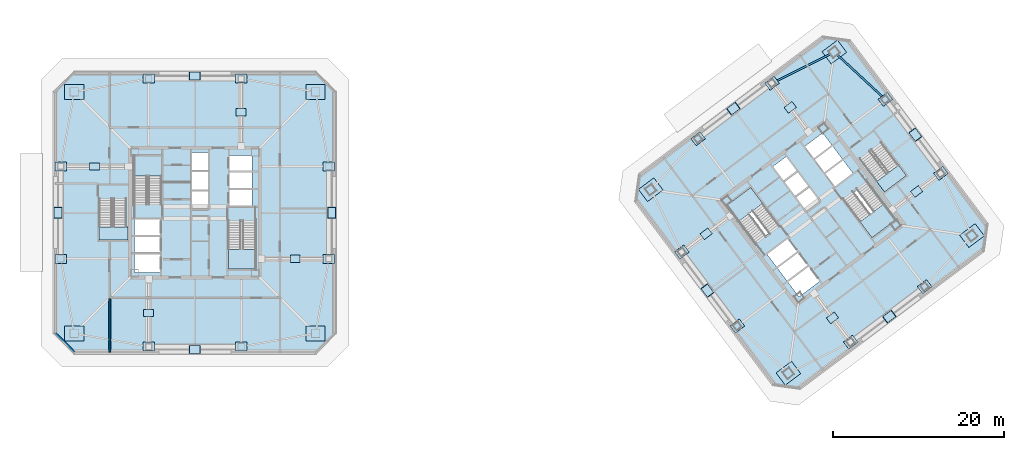
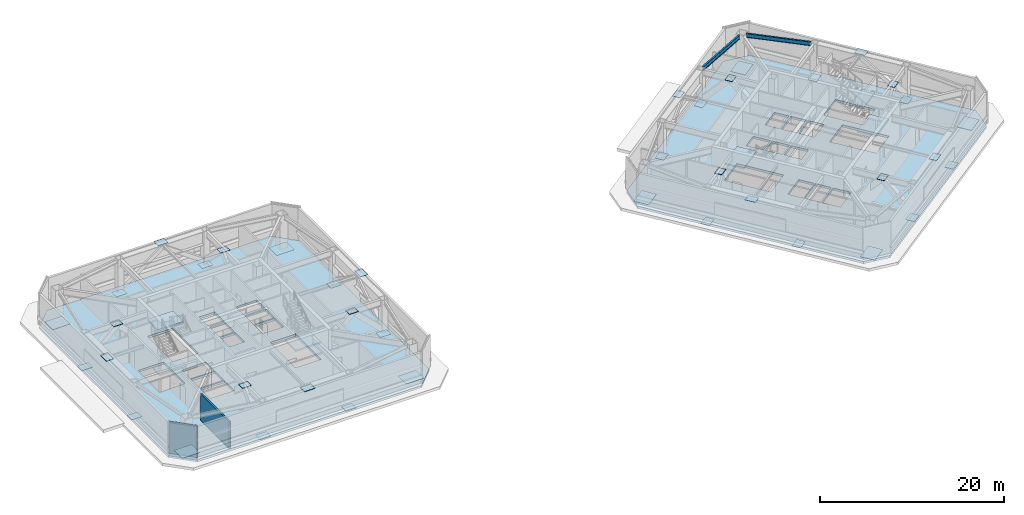
# One storey, part 4 of 15: 48 plates, 8 slabs, 2 beams, 2 walls, 6 elements without a shape of their own.
"""IFC4 building model written with IfcOpenShell, lengths in metres."""

from ifc_helpers import new_model, si_unit, direction, frame, frame_2d, origin, origin_2d, place, context, subcontext, project, spatial, polyline, rectangle, i_section, outline, extrude, material, layer, layer_set, material_profile, profile_set, type_object, element, aggregate, save


model = new_model("IFC4")

# Units and contexts
model_context = context("Model", 3, precision=1e-05, world=origin(), true_north=direction((0.0, 1.0)))
body_context = subcontext(model_context, "Body", "Model", "MODEL_VIEW")
ifc_project = project(units=[si_unit("LENGTHUNIT", "METRE"), si_unit("AREAUNIT", "SQUARE_METRE"), si_unit("VOLUMEUNIT", "CUBIC_METRE"), si_unit("PLANEANGLEUNIT", "RADIAN"), si_unit("MASSUNIT", "GRAM", prefix="KILO")], contexts=[model_context])

# Site, building, storey
site_placement = place(None, origin())
site = spatial("IfcSite", under=ifc_project, at=site_placement, CompositionType="ELEMENT")
building_placement = place(site_placement, origin())
building = spatial("IfcBuilding", under=site, at=building_placement, Name="Tashvorn Skyway Center", CompositionType="ELEMENT")
storey_placement = place(building_placement, frame((0.0, 0.0, 199.60009765625)))
storey = spatial("IfcBuildingStorey", under=building, at=storey_placement, Name="L54", CompositionType="ELEMENT", Elevation=199.60009765625)

# Beams
ifc_material_1 = material(Name="Steel ASTM A992 Grade 50", Category="steel")
ifc_material_profile = material_profile(ifc_material_1, i_section(OverallWidth=0.2109375, OverallDepth=0.5390625, WebThickness=0.01171875, FlangeThickness=0.018798828125, at=origin_2d()), Name="W21X73")
ifc_profile_set = profile_set([ifc_material_profile], Name="Steel ASTM A992 Grade 50")
beam_type = type_object("IfcBeamType", Name="BM-SPANDREL-W21X73", PredefinedType="SPANDREL", material=ifc_profile_set)
for number, where, z_axis, x_axis, name in (
    (1, (122.36865234375, 45.481689453125, 4.150390625), (-0.733042389989, 0.680182956622, 0.0), (-0.680182956622, -0.733042389989, 0.0), "Tower 2 L54 Spandrel Beam 06"),
    (2, (116.2373046875, 50.538330078125, 4.150390625), (-0.894178380472, -0.447710870872, 0.0), (0.447710870872, -0.894178380472, 0.0), "Tower 2 L54 Spandrel Beam 07"),
):
    element("IfcBeam", number, at=place(storey_placement, frame(where, z_axis=z_axis, x_axis=x_axis)), inside=storey, type_object=beam_type, Name=name, PredefinedType="SPANDREL", context=body_context, shape_type="SweptSolid", body=[
        extrude(i_section(OverallWidth=0.2109375, OverallDepth=0.5390625, WebThickness=0.01171875, FlangeThickness=0.018798828125, at=origin_2d()), origin(), (0.0, 0.0, 1.0), 7.26513671875),
    ])

# Plates
ifc_material_2 = material(Name="Steel ASTM A572 Grade 50", Category="steel")
ifc_layer_1 = layer(ifc_material_2, 0.034912109375)
ifc_layer_set_1 = layer_set([ifc_layer_1], Name="Steel ASTM A572 Grade 50")
plate_type_1 = type_object("IfcPlateType", Name="PLT-CAP-35", PredefinedType="USERDEFINED", material=ifc_layer_set_1)
for number, where, z_axis, x_axis, name in (
    (3, (42.0, 16.02001953125, 4.32763671875), (0.0, 0.0, 1.0), (1.0, 0.0, 0.0), "Tower 1 Zone 5 S Hollow-Section End Cap Plate"),
    (4, (57.97998046875, 32.0, 4.32763671875), (0.0, 0.0, 1.0), (0.0, 1.0, 0.0), "Tower 1 Zone 5 E Hollow-Section End Cap Plate"),
    (5, (42.0, 47.97998046875, 4.32763671875), (0.0, 0.0, 1.0), (-1.0, 0.0, 0.0), "Tower 1 Zone 5 N Hollow-Section End Cap Plate"),
    (6, (26.02001953125, 32.0, 4.32763671875), (0.0, 0.0, 1.0), (0.0, -1.0, 0.0), "Tower 1 Zone 5 W Hollow-Section End Cap Plate"),
    (7, (123.10791015625, 19.85595703125, 4.32763671875), (0.0, 0.0, 1.0), (0.799999996291, 0.600000004945, 0.0), "Tower 2 Zone 5 S Hollow-Section End Cap Plate"),
    (8, (126.14404296875, 41.10791015625, 4.32763671875), (0.0, 0.0, 1.0), (-0.600000004945, 0.799999996291, 0.0), "Tower 2 Zone 5 E Hollow-Section End Cap Plate"),
    (9, (104.89208984375, 44.14404296875, 4.32763671875), (0.0, 0.0, 1.0), (-0.799999996291, -0.600000004945, 0.0), "Tower 2 Zone 5 N Hollow-Section End Cap Plate"),
    (10, (101.85595703125, 22.89208984375, 4.32763671875), (0.0, 0.0, 1.0), (0.600000004945, -0.799999996291, 0.0), "Tower 2 Zone 5 W Hollow-Section End Cap Plate"),
):
    element("IfcPlate", number, at=place(storey_placement, frame(where, z_axis=z_axis, x_axis=x_axis)), inside=storey, type_object=plate_type_1, Name=name, ObjectType="END PLATE", PredefinedType="USERDEFINED", context=body_context, shape_type="SweptSolid", body=[
        extrude(rectangle(XDim=1.199951171875, YDim=0.919921875, at=origin_2d()), origin(), (0.0, 0.0, 1.0), 0.034912109375),
    ])
ifc_layer_2 = layer(ifc_material_2, 0.050048828125)
ifc_layer_set_2 = layer_set([ifc_layer_2], Name="Steel ASTM A572 Grade 50")
plate_type_2 = type_object("IfcPlateType", Name="PLT-ENDCAP-1650", PredefinedType="USERDEFINED", material=ifc_layer_set_2)
for number, where, z_axis, x_axis, name in (
    (11, (27.89990234375, 17.89990234375, -0.3349609375), (0.0, 0.0, 1.0), (1.0, 0.0, 0.0), "Tower 1 L54 MC-SW Setback Base End Plate"),
    (12, (56.10009765625, 17.89990234375, -0.3349609375), (0.0, 0.0, 1.0), (1.0, 0.0, 0.0), "Tower 1 L54 MC-SE Setback Base End Plate"),
    (13, (56.10009765625, 46.10009765625, -0.3349609375), (0.0, 0.0, 1.0), (1.0, 0.0, 0.0), "Tower 1 L54 MC-NE Setback Base End Plate"),
    (14, (27.89990234375, 46.10009765625, -0.3349609375), (0.0, 0.0, 1.0), (1.0, 0.0, 0.0), "Tower 1 L54 MC-NW Setback Base End Plate"),
    (15, (111.320068359375, 13.239990234375, -0.3349609375), (0.0, 0.0, 1.0), (0.799999996291, 0.600000004945, 0.0), "Tower 2 L54 MC-SW Setback Base End Plate"),
    (16, (132.760009765625, 29.320068359375, -0.3349609375), (0.0, 0.0, 1.0), (0.799999996291, 0.600000004945, 0.0), "Tower 2 L54 MC-SE Setback Base End Plate"),
    (17, (116.679931640625, 50.760009765625, -0.3349609375), (0.0, 0.0, 1.0), (0.799999996291, 0.600000004945, 0.0), "Tower 2 L54 MC-NE Setback Base End Plate"),
    (18, (95.239990234375, 34.679931640625, -0.3349609375), (0.0, 0.0, 1.0), (0.799999996291, 0.600000004945, 0.0), "Tower 2 L54 MC-NW Setback Base End Plate"),
):
    element("IfcPlate", number, at=place(storey_placement, frame(where, z_axis=z_axis, x_axis=x_axis)), inside=storey, type_object=plate_type_2, Name=name, ObjectType="END PLATE", PredefinedType="USERDEFINED", context=body_context, shape_type="SweptSolid", body=[
        extrude(rectangle(XDim=2.25, YDim=1.780029296875, at=origin_2d()), origin(), (0.0, 0.0, 1.0), 0.050048828125),
    ])
ifc_layer_3 = layer(ifc_material_2, 0.050048828125)
ifc_layer_set_3 = layer_set([ifc_layer_3], Name="Steel ASTM A572 Grade 50")
plate_type_3 = type_object("IfcPlateType", Name="PLT-ENDCAP-900", PredefinedType="USERDEFINED", material=ifc_layer_set_3)
for number, where, z_axis, x_axis, name in (
    (19, (36.60009765625, 16.35009765625, -0.3349609375), (0.0, 0.0, 1.0), (1.0, 0.0, 0.0), "Tower 1 L54 FC-S1 Setback Base End Plate"),
    (20, (47.39990234375, 16.35009765625, -0.3349609375), (0.0, 0.0, 1.0), (1.0, 0.0, 0.0), "Tower 1 L54 FC-S2 Setback Base End Plate"),
    (21, (57.64990234375, 26.60009765625, -0.3349609375), (0.0, 0.0, 1.0), (1.0, 0.0, 0.0), "Tower 1 L54 FC-E1 Setback Base End Plate"),
    (22, (57.64990234375, 37.39990234375, -0.3349609375), (0.0, 0.0, 1.0), (1.0, 0.0, 0.0), "Tower 1 L54 FC-E2 Setback Base End Plate"),
    (23, (47.39990234375, 47.64990234375, -0.3349609375), (0.0, 0.0, 1.0), (1.0, 0.0, 0.0), "Tower 1 L54 FC-N1 Setback Base End Plate"),
    (24, (36.60009765625, 47.64990234375, -0.3349609375), (0.0, 0.0, 1.0), (1.0, 0.0, 0.0), "Tower 1 L54 FC-N2 Setback Base End Plate"),
    (25, (26.35009765625, 37.39990234375, -0.3349609375), (0.0, 0.0, 1.0), (1.0, 0.0, 0.0), "Tower 1 L54 FC-W1 Setback Base End Plate"),
    (26, (26.35009765625, 26.60009765625, -0.3349609375), (0.0, 0.0, 1.0), (1.0, 0.0, 0.0), "Tower 1 L54 FC-W2 Setback Base End Plate"),
    (27, (118.590087890625, 16.8798828125, -0.3349609375), (0.0, 0.0, 1.0), (0.799999996291, 0.600000004945, 0.0), "Tower 2 L54 FC-S1 Setback Base End Plate"),
    (28, (127.22998046875, 23.360107421875, -0.3349609375), (0.0, 0.0, 1.0), (0.799999996291, 0.600000004945, 0.0), "Tower 2 L54 FC-S2 Setback Base End Plate"),
    (29, (129.1201171875, 36.590087890625, -0.3349609375), (0.0, 0.0, 1.0), (0.799999996291, 0.600000004945, 0.0), "Tower 2 L54 FC-E1 Setback Base End Plate"),
    (30, (122.639892578125, 45.22998046875, -0.3349609375), (0.0, 0.0, 1.0), (0.799999996291, 0.600000004945, 0.0), "Tower 2 L54 FC-E2 Setback Base End Plate"),
    (31, (109.409912109375, 47.1201171875, -0.3349609375), (0.0, 0.0, 1.0), (0.799999996291, 0.600000004945, 0.0), "Tower 2 L54 FC-N1 Setback Base End Plate"),
    (32, (100.77001953125, 40.639892578125, -0.3349609375), (0.0, 0.0, 1.0), (0.799999996291, 0.600000004945, 0.0), "Tower 2 L54 FC-N2 Setback Base End Plate"),
    (33, (98.8798828125, 27.409912109375, -0.3349609375), (0.0, 0.0, 1.0), (0.799999996291, 0.600000004945, 0.0), "Tower 2 L54 FC-W1 Setback Base End Plate"),
    (34, (105.360107421875, 18.77001953125, -0.3349609375), (0.0, 0.0, 1.0), (0.799999996291, 0.600000004945, 0.0), "Tower 2 L54 FC-W2 Setback Base End Plate"),
):
    element("IfcPlate", number, at=place(storey_placement, frame(where, z_axis=z_axis, x_axis=x_axis)), inside=storey, type_object=plate_type_3, Name=name, ObjectType="END PLATE", PredefinedType="USERDEFINED", context=body_context, shape_type="SweptSolid", body=[
        extrude(rectangle(XDim=1.35009765625, YDim=1.050048828125, at=origin_2d()), origin(), (0.0, 0.0, 1.0), 0.050048828125),
    ])
ifc_layer_4 = layer(ifc_material_2, 0.0400390625)
ifc_layer_set_4 = layer_set([ifc_layer_4], Name="Steel ASTM A572 Grade 50")
plate_type_4 = type_object("IfcPlateType", Name="PLT-GUSSET-40", PredefinedType="USERDEFINED", material=ifc_layer_set_4)
for number, where, z_axis, x_axis, name in (
    (35, (47.39990234375, 43.715087890625, 4.0498046875), (0.0, 0.0, 1.0), (1.0, 0.0, 0.0), "Tower 1 L54 Outrigger Node Gusset N1"),
    (36, (36.60009765625, 20.284912109375, 4.0498046875), (0.0, 0.0, 1.0), (1.0, 0.0, 0.0), "Tower 1 L54 Outrigger Node Gusset S1"),
    (37, (53.715087890625, 26.60009765625, 4.0498046875), (0.0, 0.0, 1.0), (1.0, 0.0, 0.0), "Tower 1 L54 Outrigger Node Gusset E1"),
    (38, (30.284912109375, 37.39990234375, 4.0498046875), (0.0, 0.0, 1.0), (1.0, 0.0, 0.0), "Tower 1 L54 Outrigger Node Gusset W1"),
    (39, (111.531005859375, 44.2919921875, 4.0498046875), (0.0, 0.0, 1.0), (0.799999996291, 0.600000004945, 0.0), "Tower 2 L54 Outrigger Node Gusset N1"),
    (40, (116.468994140625, 19.7080078125, 4.0498046875), (0.0, 0.0, 1.0), (0.799999996291, 0.600000004945, 0.0), "Tower 2 L54 Outrigger Node Gusset S1"),
    (41, (126.2919921875, 34.468994140625, 4.0498046875), (0.0, 0.0, 1.0), (0.799999996291, 0.600000004945, 0.0), "Tower 2 L54 Outrigger Node Gusset E1"),
    (42, (101.7080078125, 29.531005859375, 4.0498046875), (0.0, 0.0, 1.0), (0.799999996291, 0.600000004945, 0.0), "Tower 2 L54 Outrigger Node Gusset W1"),
):
    element("IfcPlate", number, at=place(storey_placement, frame(where, z_axis=z_axis, x_axis=x_axis)), inside=storey, type_object=plate_type_4, Name=name, ObjectType="GUSSET PLATE", PredefinedType="USERDEFINED", context=body_context, shape_type="SweptSolid", body=[
        extrude(rectangle(XDim=1.14990234375, YDim=0.85009765625, at=origin_2d()), origin(), (0.0, 0.0, 1.0), 0.0400390625),
    ])
ifc_layer_5 = layer(ifc_material_2, 0.044921875)
ifc_layer_set_5 = layer_set([ifc_layer_5], Name="Steel ASTM A572 Grade 50")
plate_type_5 = type_object("IfcPlateType", Name="PLT-GUSSET-45", PredefinedType="USERDEFINED", material=ifc_layer_set_5)
for number, where, z_axis, x_axis, name in (
    (43, (42.0, 16.02001953125, 4.362548828125), (0.0, 0.0, 1.0), (1.0, 0.0, 0.0), "Tower 1 Zone 5 S Apex Node Gusset Plate"),
    (44, (57.97998046875, 32.0, 4.362548828125), (0.0, 0.0, 1.0), (0.0, 1.0, 0.0), "Tower 1 Zone 5 E Apex Node Gusset Plate"),
    (45, (42.0, 47.97998046875, 4.362548828125), (0.0, 0.0, 1.0), (-1.0, 0.0, 0.0), "Tower 1 Zone 5 N Apex Node Gusset Plate"),
    (46, (26.02001953125, 32.0, 4.362548828125), (0.0, 0.0, 1.0), (0.0, -1.0, 0.0), "Tower 1 Zone 5 W Apex Node Gusset Plate"),
    (47, (123.10791015625, 19.85595703125, 4.362548828125), (0.0, 0.0, 1.0), (0.799999996291, 0.600000004945, 0.0), "Tower 2 Zone 5 S Apex Node Gusset Plate"),
    (48, (126.14404296875, 41.10791015625, 4.362548828125), (0.0, 0.0, 1.0), (-0.600000004945, 0.799999996291, 0.0), "Tower 2 Zone 5 E Apex Node Gusset Plate"),
    (49, (104.89208984375, 44.14404296875, 4.362548828125), (0.0, 0.0, 1.0), (-0.799999996291, -0.600000004945, 0.0), "Tower 2 Zone 5 N Apex Node Gusset Plate"),
    (50, (101.85595703125, 22.89208984375, 4.362548828125), (0.0, 0.0, 1.0), (0.600000004945, -0.799999996291, 0.0), "Tower 2 Zone 5 W Apex Node Gusset Plate"),
):
    element("IfcPlate", number, at=place(storey_placement, frame(where, z_axis=z_axis, x_axis=x_axis)), inside=storey, type_object=plate_type_5, Name=name, ObjectType="GUSSET PLATE", PredefinedType="USERDEFINED", context=body_context, shape_type="SweptSolid", body=[
        extrude(rectangle(XDim=1.35009765625, YDim=0.949951171875, at=origin_2d()), origin(), (0.0, 0.0, 1.0), 0.044921875),
    ])

# Slabs
ifc_material_3 = material(Name="Concrete C50/60", Category="concrete")
ifc_layer_6 = layer(ifc_material_3, 0.300048828125)
ifc_layer_set_6 = layer_set([ifc_layer_6], Name="Concrete C50/60")
slab_type_1 = type_object("IfcSlabType", Name="SLAB-FLR-300", PredefinedType="FLOOR", material=ifc_layer_set_6)
slab_1_placement = place(storey_placement, frame((0.0, 0.0, -0.300048828125)))
element("IfcSlab", 51, at=slab_1_placement, inside=storey, type_object=slab_type_1, Name="Tower 1 L54 Composite Floor Slab", PredefinedType="FLOOR", context=body_context, shape_type="SweptSolid", body=[
    extrude(outline(polyline([(27.89990234375, 15.60009765625), (56.10009765625, 15.60009765625), (58.39990234375, 17.89990234375), (58.39990234375, 46.10009765625), (56.10009765625, 48.39990234375), (27.89990234375, 48.39990234375), (25.60009765625, 46.10009765625), (25.60009765625, 17.89990234375), (27.89990234375, 15.60009765625)]), holes=[polyline([(38.10009765625, 33.080078125), (38.10009765625, 38.60009765625), (34.89990234375, 38.60009765625), (34.89990234375, 33.080078125), (38.10009765625, 33.080078125)]), polyline([(45.89990234375, 30.919921875), (45.89990234375, 25.39990234375), (49.10009765625, 25.39990234375), (49.10009765625, 30.919921875), (45.89990234375, 30.919921875)]), polyline([(30.800048828125, 33.52001953125), (30.800048828125, 28.800048828125), (34.0, 28.800048828125), (34.0, 33.52001953125), (30.800048828125, 33.52001953125)]), polyline([(34.949951171875, 29.35009765625), (37.949951171875, 29.35009765625), (37.949951171875, 31.199951171875), (34.949951171875, 31.199951171875), (34.949951171875, 29.35009765625)]), polyline([(34.949951171875, 27.35009765625), (37.949951171875, 27.35009765625), (37.949951171875, 29.199951171875), (34.949951171875, 29.199951171875), (34.949951171875, 27.35009765625)]), polyline([(34.949951171875, 25.0), (37.949951171875, 25.0), (37.949951171875, 27.14990234375), (34.949951171875, 27.14990234375), (34.949951171875, 25.0)]), polyline([(41.64990234375, 32.449951171875), (43.550048828125, 32.449951171875), (43.550048828125, 34.5), (41.64990234375, 34.5), (41.64990234375, 32.449951171875)]), polyline([(41.64990234375, 34.699951171875), (43.550048828125, 34.699951171875), (43.550048828125, 36.75), (41.64990234375, 36.75), (41.64990234375, 34.699951171875)]), polyline([(41.64990234375, 36.949951171875), (43.550048828125, 36.949951171875), (43.550048828125, 39.0), (41.64990234375, 39.0), (41.64990234375, 36.949951171875)]), polyline([(46.050048828125, 32.800048828125), (48.64990234375, 32.800048828125), (48.64990234375, 34.64990234375), (46.050048828125, 34.64990234375), (46.050048828125, 32.800048828125)]), polyline([(46.050048828125, 34.85009765625), (48.64990234375, 34.85009765625), (48.64990234375, 36.699951171875), (46.050048828125, 36.699951171875), (46.050048828125, 34.85009765625)]), polyline([(46.050048828125, 36.89990234375), (48.64990234375, 36.89990234375), (48.64990234375, 38.64990234375), (46.050048828125, 38.64990234375), (46.050048828125, 36.89990234375)])]), origin(), (0.0, 0.0, 1.0), 0.300048828125),
])
slab_2_placement = place(storey_placement, frame((0.0, 0.0, -0.300048828125)))
element("IfcSlab", 52, at=slab_2_placement, inside=storey, type_object=slab_type_1, Name="Tower 2 L54 Composite Floor Slab", PredefinedType="FLOOR", context=body_context, shape_type="SweptSolid", body=[
    extrude(outline(polyline([(112.639892578125, 11.47998046875), (134.080078125, 27.56005859375), (134.52001953125, 30.639892578125), (118.43994140625, 52.080078125), (115.360107421875, 52.52001953125), (93.919921875, 36.43994140625), (93.47998046875, 33.360107421875), (109.56005859375, 11.919921875), (112.639892578125, 11.47998046875)]), holes=[polyline([(110.23193359375, 30.52392578125), (106.919921875, 34.93994140625), (104.135986328125, 32.85205078125), (107.447998046875, 28.43603515625), (110.23193359375, 30.52392578125)]), polyline([(117.76806640625, 33.47607421875), (121.080078125, 29.06005859375), (123.864013671875, 31.14794921875), (120.552001953125, 35.56396484375), (117.76806640625, 33.47607421875)]), polyline([(119.7119140625, 38.18408203125), (122.5439453125, 34.407958984375), (125.10400390625, 36.327880859375), (122.27197265625, 40.10400390625), (119.7119140625, 38.18408203125)]), polyline([(109.949951171875, 25.64990234375), (112.35009765625, 27.449951171875), (111.239990234375, 28.929931640625), (108.840087890625, 27.1298828125), (109.949951171875, 25.64990234375)]), polyline([(111.14990234375, 24.050048828125), (113.550048828125, 25.85009765625), (112.43994140625, 27.330078125), (110.0400390625, 25.530029296875), (111.14990234375, 24.050048828125)]), polyline([(112.56005859375, 22.169921875), (114.9599609375, 23.969970703125), (113.669921875, 25.68994140625), (111.27001953125, 23.889892578125), (112.56005859375, 22.169921875)]), polyline([(113.449951171875, 32.14990234375), (114.969970703125, 33.2900390625), (113.739990234375, 34.929931640625), (112.219970703125, 33.7900390625), (113.449951171875, 32.14990234375)]), polyline([(112.10009765625, 33.949951171875), (113.6201171875, 35.090087890625), (112.389892578125, 36.72998046875), (110.8701171875, 35.590087890625), (112.10009765625, 33.949951171875)]), polyline([(110.75, 35.75), (112.27001953125, 36.889892578125), (111.0400390625, 38.530029296875), (109.52001953125, 37.389892578125), (110.75, 35.75)]), polyline([(116.760009765625, 35.070068359375), (118.840087890625, 36.6298828125), (117.72998046875, 38.110107421875), (115.64990234375, 36.550048828125), (116.760009765625, 35.070068359375)]), polyline([(115.530029296875, 36.7099609375), (117.610107421875, 38.27001953125), (116.5, 39.75), (114.419921875, 38.18994140625), (115.530029296875, 36.7099609375)]), polyline([(114.300048828125, 38.35009765625), (116.3798828125, 39.909912109375), (115.330078125, 41.31005859375), (113.25, 39.75), (114.300048828125, 38.35009765625)])]), origin(), (0.0, 0.0, 1.0), 0.300048828125),
])

# Stair, slab
ifc_material_4 = material(Name="Concrete C40/50", Category="concrete")
stair_type = type_object("IfcStairType", Name="STAIR-CORE-1500", PredefinedType="HALF_TURN_STAIR", material=ifc_material_4)
stair_1_placement = place(storey_placement, origin())
stair_1 = element("IfcStair", 53, at=stair_1_placement, inside=storey, type_object=stair_type, Name="L54 Tower 1 Exit Stair 1", PredefinedType="HALF_TURN_STAIR")
ifc_layer_7 = layer(ifc_material_4, 0.199951171875)
ifc_layer_set_7 = layer_set([ifc_layer_7], Name="Concrete C40/50")
slab_type_2 = type_object("IfcSlabType", Name="SLAB-LAND-200", PredefinedType="LANDING", material=ifc_layer_set_7)
slab_3_placement = place(storey_placement, frame((0.0, 0.0, 2.099853515625)))
slab_3 = element("IfcSlab", 54, at=slab_3_placement, type_object=slab_type_2, Name="ST-T1-1 landing 1", PredefinedType="LANDING", context=body_context, shape_type="SweptSolid", body=[
    extrude(outline(polyline([(38.10009765625, 36.280029296875), (38.10009765625, 38.60009765625), (34.89990234375, 38.60009765625), (34.89990234375, 36.280029296875), (38.10009765625, 36.280029296875)])), origin(), (0.0, 0.0, 1.0), 0.199951171875),
])
aggregate(stair_1, [slab_3])

stair_2_placement = place(storey_placement, origin())
stair_2 = element("IfcStair", 55, at=stair_2_placement, inside=storey, type_object=stair_type, Name="L54 Tower 1 Exit Stair 2", PredefinedType="HALF_TURN_STAIR")
slab_4_placement = place(storey_placement, frame((0.0, 0.0, 2.099853515625)))
slab_4 = element("IfcSlab", 56, at=slab_4_placement, type_object=slab_type_2, Name="ST-T1-2 landing 1", PredefinedType="LANDING", context=body_context, shape_type="SweptSolid", body=[
    extrude(outline(polyline([(45.89990234375, 27.719970703125), (45.89990234375, 25.39990234375), (49.10009765625, 25.39990234375), (49.10009765625, 27.719970703125), (45.89990234375, 27.719970703125)])), origin(), (0.0, 0.0, 1.0), 0.199951171875),
])
aggregate(stair_2, [slab_4])

stair_3_placement = place(storey_placement, origin())
stair_3 = element("IfcStair", 57, at=stair_3_placement, inside=storey, type_object=stair_type, Name="L54 Tower 2 Exit Stair 1", PredefinedType="HALF_TURN_STAIR")
slab_5_placement = place(storey_placement, frame((0.0, 0.0, 2.099853515625)))
slab_5 = element("IfcSlab", 58, at=slab_5_placement, type_object=slab_type_2, Name="ST-T2-1 landing 1", PredefinedType="LANDING", context=body_context, shape_type="SweptSolid", body=[
    extrude(outline(polyline([(108.31689453125, 33.07763671875), (106.919921875, 34.93994140625), (104.135986328125, 32.85205078125), (105.53271484375, 30.989501953125), (108.31689453125, 33.07763671875)])), origin(), (0.0, 0.0, 1.0), 0.199951171875),
])
aggregate(stair_3, [slab_5])

stair_4_placement = place(storey_placement, origin())
stair_4 = element("IfcStair", 59, at=stair_4_placement, inside=storey, type_object=stair_type, Name="L54 Tower 2 Exit Stair 2", PredefinedType="HALF_TURN_STAIR")
slab_6_placement = place(storey_placement, frame((0.0, 0.0, 2.099853515625)))
slab_6 = element("IfcSlab", 60, at=slab_6_placement, type_object=slab_type_2, Name="ST-T2-2 landing 1", PredefinedType="LANDING", context=body_context, shape_type="SweptSolid", body=[
    extrude(outline(polyline([(119.68310546875, 30.92236328125), (121.080078125, 29.06005859375), (123.864013671875, 31.14794921875), (122.46728515625, 33.010498046875), (119.68310546875, 30.92236328125)])), origin(), (0.0, 0.0, 1.0), 0.199951171875),
])
aggregate(stair_4, [slab_6])

stair_5_placement = place(storey_placement, origin())
stair_5 = element("IfcStair", 61, at=stair_5_placement, inside=storey, type_object=stair_type, Name="L54 Tower 1 Exit Stair 3", PredefinedType="HALF_TURN_STAIR")
slab_7_placement = place(storey_placement, frame((0.0, 0.0, 2.099853515625)))
slab_7 = element("IfcSlab", 62, at=slab_7_placement, type_object=slab_type_2, Name="ST-T1-3 landing 1", PredefinedType="LANDING", context=body_context, shape_type="SweptSolid", body=[
    extrude(outline(polyline([(30.800048828125, 30.320068359375), (30.800048828125, 28.800048828125), (34.199951171875, 28.800048828125), (34.199951171875, 30.320068359375), (30.800048828125, 30.320068359375)])), origin(), (0.0, 0.0, 1.0), 0.199951171875),
])
aggregate(stair_5, [slab_7])

stair_6_placement = place(storey_placement, origin())
stair_6 = element("IfcStair", 63, at=stair_6_placement, inside=storey, type_object=stair_type, Name="L54 Tower 2 Exit Stair 3", PredefinedType="HALF_TURN_STAIR")
slab_8_placement = place(storey_placement, frame((0.0, 0.0, 2.099853515625)))
slab_8 = element("IfcSlab", 64, at=slab_8_placement, type_object=slab_type_2, Name="ST-T2-3 landing 1", PredefinedType="LANDING", context=body_context, shape_type="SweptSolid", body=[
    extrude(outline(polyline([(121.627197265625, 35.63037109375), (122.5439453125, 34.407958984375), (125.10400390625, 36.327880859375), (124.187255859375, 37.55029296875), (121.627197265625, 35.63037109375)])), origin(), (0.0, 0.0, 1.0), 0.199951171875),
])
aggregate(stair_6, [slab_8])

# Walls
ifc_material_5 = material(Name="Precast concrete C40/50", Category="concrete")
ifc_layer_8 = layer(ifc_material_5, 0.280029296875)
ifc_layer_set_8 = layer_set([ifc_layer_8], Name="Precast concrete C40/50")
wall_type_1 = type_object("IfcWallType", Name="WALL-EXT-280", PredefinedType="SOLIDWALL", material=ifc_layer_set_8)
wall_1_placement = place(storey_placement, frame((27.89990234375, 15.699951171875, 0.0), z_axis=(0.0, 0.0, 1.0), x_axis=(-0.707106781187, 0.707106781187, 0.0)))
element("IfcWall", 65, at=wall_1_placement, inside=storey, type_object=wall_type_1, Name="Tower 1 L54 SW Precast Chamfer Wall", PredefinedType="SOLIDWALL", context=body_context, shape_type="SweptSolid", body=[
    extrude(rectangle(XDim=3.111083984375, YDim=0.280029296875, at=frame_2d((1.5556640625, 0.0))), origin(), (0.0, 0.0, 1.0), 4.419921875),
])
ifc_layer_9 = layer(ifc_material_4, 0.199951171875)
ifc_layer_set_9 = layer_set([ifc_layer_9], Name="Concrete C40/50")
wall_type_2 = type_object("IfcWallType", Name="WALL-SHAFT-200", PredefinedType="SOLIDWALL", material=ifc_layer_set_9)
wall_2_placement = place(storey_placement, frame((32.050048828125, 21.929931640625, 0.0), z_axis=(0.0, 0.0, 1.0), x_axis=(0.0, -1.0, 0.0)))
element("IfcWall", 66, at=wall_2_placement, inside=storey, type_object=wall_type_2, Name="Tower 1 L54 Plant Radial SW", PredefinedType="SOLIDWALL", context=body_context, shape_type="SweptSolid", body=[
    extrude(rectangle(XDim=6.2099609375, YDim=0.199951171875, at=frame_2d((3.10498046875, 0.0))), origin(), (0.0, 0.0, 1.0), 3.531005859375),
])

save(model, "model.ifc")
